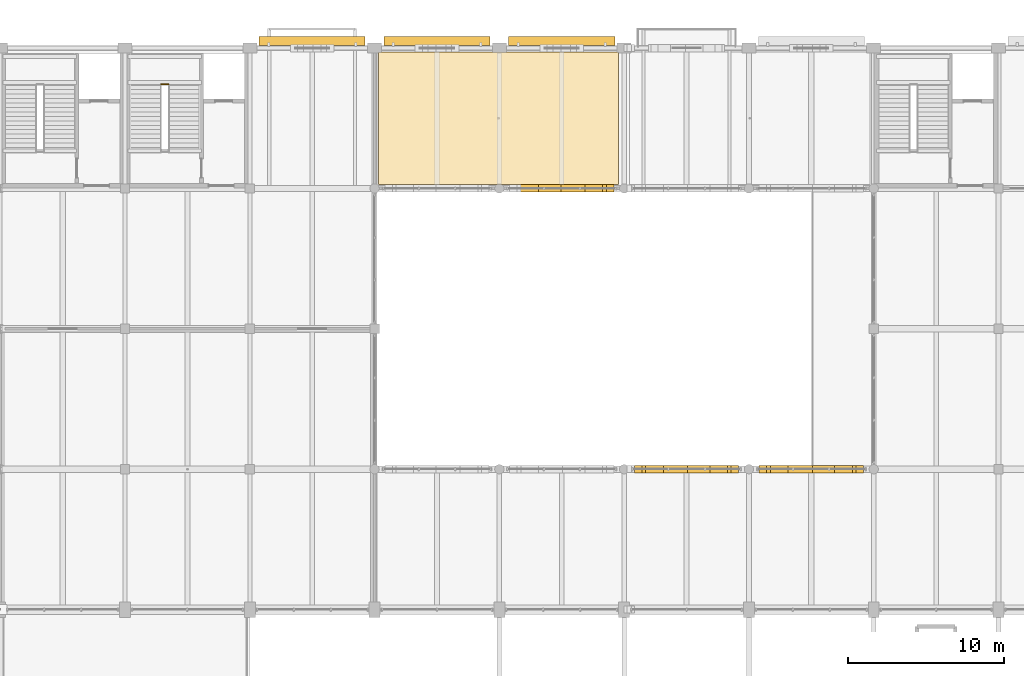
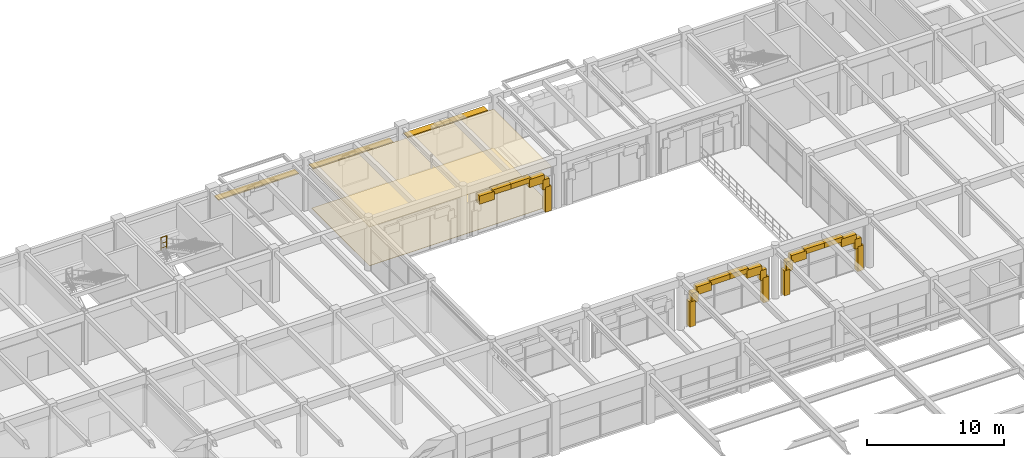
# One storey, part 139 of 144: 24 coverings, 3 shading devices, 1 railing.
"""IFC4 building model written with IfcOpenShell, lengths in metres."""

from ifc_helpers import new_model, si_unit, direction, frame, origin, origin_2d, place, context, subcontext, project, spatial, polyline, rectangle, circle, outline, extrude, material, layer, layer_set, type_object, element, save


model = new_model("IFC4")

# Units and contexts
model_context = context("Model", 3, precision=1e-05, world=origin(), true_north=direction((0.0, 1.0)))
body_context = subcontext(model_context, "Body", "Model", "MODEL_VIEW")
ifc_project = project(units=[si_unit("LENGTHUNIT", "METRE"), si_unit("AREAUNIT", "SQUARE_METRE"), si_unit("VOLUMEUNIT", "CUBIC_METRE"), si_unit("PLANEANGLEUNIT", "RADIAN"), si_unit("MASSUNIT", "GRAM", prefix="KILO")], contexts=[model_context])

# Site, building, storey
site_placement = place(None, origin())
site = spatial("IfcSite", under=ifc_project, at=site_placement, CompositionType="ELEMENT")
building_placement = place(site_placement, origin())
building = spatial("IfcBuilding", under=site, at=building_placement, Name="Varnabhumi Central Station", CompositionType="ELEMENT")
storey_placement = place(building_placement, frame((0.0, 0.0, 4.800048828125)))
storey = spatial("IfcBuildingStorey", under=building, at=storey_placement, Name="L01", CompositionType="ELEMENT", Elevation=4.800048828125)

# Coverings
ifc_material_1 = material(Name="Mineral-fibre acoustic tile")
ifc_layer_1 = layer(ifc_material_1, 0.02490234375, Name="Mineral-fibre acoustic tile")
ifc_layer_set_1 = layer_set([ifc_layer_1], Name="Mineral-fibre acoustic tile")
covering_type_1 = type_object("IfcCoveringType", Name="COV-CEIL-ACOUSTIC", PredefinedType="CEILING", material=ifc_layer_set_1)
covering_1_placement = place(storey_placement, frame((0.0, 0.0, 3.469970703125)))
element("IfcCovering", 1, at=covering_1_placement, inside=storey, type_object=covering_type_1, Name="Transit Reading and Quiet Lounge Acoustic Ceiling", PredefinedType="CEILING", context=body_context, shape_type="SweptSolid", body=[
    extrude(outline(polyline([(48.25, 107.25), (63.64990234375, 107.25), (63.64990234375, 115.75), (48.25, 115.75), (48.25, 107.25)])), origin(), (0.0, 0.0, 1.0), 0.02490234375),
])
ifc_material_2 = material(Name="Vitrified granite stone flooring", Category="masonry")
ifc_layer_2 = layer(ifc_material_2, 0.030029296875, Name="Vitrified granite stone flooring", Category="masonry")
ifc_layer_set_2 = layer_set([ifc_layer_2], Name="Vitrified granite stone flooring")
covering_type_2 = type_object("IfcCoveringType", Name="COV-FLOR-GRANITE", PredefinedType="FLOORING", material=ifc_layer_set_2)
covering_2_placement = place(storey_placement, origin())
element("IfcCovering", 2, at=covering_2_placement, inside=storey, type_object=covering_type_2, Name="Transit Reading and Quiet Lounge Granite Flooring", PredefinedType="FLOORING", context=body_context, shape_type="SweptSolid", body=[
    extrude(outline(polyline([(48.25, 107.25), (63.64990234375, 107.25), (63.64990234375, 115.75), (48.25, 115.75), (48.25, 107.25)])), origin(), (0.0, 0.0, 1.0), 0.030029296875),
])
ifc_material_3 = material(Name="Terracotta clay Mission barrel tile", Category="masonry")
ifc_layer_3 = layer(ifc_material_3, 0.02001953125, Name="Terracotta clay Mission barrel tile", Category="masonry")
ifc_layer_set_3 = layer_set([ifc_layer_3], Name="Terracotta clay Mission barrel tile")
covering_type_3 = type_object("IfcCoveringType", Name="COV-WALL-FAIENCE", PredefinedType="CLADDING", material=ifc_layer_set_3)
covering_3_placement = place(storey_placement, frame((57.882568359375, 107.0, 2.66015625), z_axis=(0.0, 0.0, 1.0), x_axis=(1.0, 0.0, 0.0)))
element("IfcCovering", 3, at=covering_3_placement, inside=storey, type_object=covering_type_3, Name="North Patio Cloister Arch L01-N2 Stone Voussoir 2", PredefinedType="CLADDING", context=body_context, shape_type="SweptSolid", body=[
    extrude(rectangle(XDim=1.2548828125, YDim=0.47998046875, at=origin_2d()), origin(), (0.0, 0.0, 1.0), 0.718994140625),
])
for number, where, z_axis, x_axis, name in (
    (4, (59.22509765625, 107.0, 3.098876953125), (0.0, 0.0, 1.0), (1.0, 0.0, 0.0), "North Patio Cloister Arch L01-N2 Stone Voussoir 3"),
    (5, (60.77490234375, 107.0, 3.098876953125), (0.0, 0.0, 1.0), (1.0, 0.0, 0.0), "North Patio Cloister Arch L01-N2 Stone Voussoir 4"),
):
    element("IfcCovering", number, at=place(storey_placement, frame(where, z_axis=z_axis, x_axis=x_axis)), inside=storey, type_object=covering_type_3, Name=name, PredefinedType="CLADDING", context=body_context, shape_type="SweptSolid", body=[
        extrude(rectangle(XDim=1.669921875, YDim=0.47998046875, at=origin_2d()), origin(), (0.0, 0.0, 1.0), 0.44091796875),
    ])
covering_4_placement = place(storey_placement, frame((62.117431640625, 107.0, 2.66015625), z_axis=(0.0, 0.0, 1.0), x_axis=(1.0, 0.0, 0.0)))
element("IfcCovering", 6, at=covering_4_placement, inside=storey, type_object=covering_type_3, Name="North Patio Cloister Arch L01-N2 Stone Voussoir 5", PredefinedType="CLADDING", context=body_context, shape_type="SweptSolid", body=[
    extrude(rectangle(XDim=1.2548828125, YDim=0.47998046875, at=origin_2d()), origin(), (0.0, 0.0, 1.0), 0.718994140625),
])
covering_5_placement = place(storey_placement, frame((62.892578125, 107.0, 2.06005859375), z_axis=(0.0, 0.0, 1.0), x_axis=(1.0, 0.0, 0.0)))
element("IfcCovering", 7, at=covering_5_placement, inside=storey, type_object=covering_type_3, Name="North Patio Cloister Arch L01-N2 Stone Voussoir 6", PredefinedType="CLADDING", context=body_context, shape_type="SweptSolid", body=[
    extrude(rectangle(XDim=0.534912109375, YDim=0.47998046875, at=origin_2d()), origin(), (0.0, 0.0, 1.0), 0.8798828125),
])
covering_6_placement = place(storey_placement, frame((63.10009765625, 107.0, -0.02001953125), z_axis=(0.0, 0.0, 1.0), x_axis=(1.0, 0.0, 0.0)))
element("IfcCovering", 8, at=covering_6_placement, inside=storey, type_object=covering_type_3, Name="North Patio Cloister Arch L01-N2 Classical Pilaster 2", PredefinedType="CLADDING", context=body_context, shape_type="SweptSolid", body=[
    extrude(rectangle(XDim=0.47998046875, YDim=0.47998046875, at=origin_2d()), origin(), (0.0, 0.0, 1.0), 2.239990234375),
])
covering_7_placement = place(storey_placement, frame((65.107421875, 89.0, 2.06005859375), z_axis=(0.0, 0.0, 1.0), x_axis=(1.0, 0.0, 0.0)))
element("IfcCovering", 9, at=covering_7_placement, inside=storey, type_object=covering_type_3, Name="North Patio Cloister Arch L01-S3 Stone Voussoir 1", PredefinedType="CLADDING", context=body_context, shape_type="SweptSolid", body=[
    extrude(rectangle(XDim=0.534912109375, YDim=0.47998046875, at=origin_2d()), origin(), (0.0, 0.0, 1.0), 0.8798828125),
])
covering_8_placement = place(storey_placement, frame((65.882568359375, 89.0, 2.66015625), z_axis=(0.0, 0.0, 1.0), x_axis=(1.0, 0.0, 0.0)))
element("IfcCovering", 10, at=covering_8_placement, inside=storey, type_object=covering_type_3, Name="North Patio Cloister Arch L01-S3 Stone Voussoir 2", PredefinedType="CLADDING", context=body_context, shape_type="SweptSolid", body=[
    extrude(rectangle(XDim=1.2548828125, YDim=0.47998046875, at=origin_2d()), origin(), (0.0, 0.0, 1.0), 0.718994140625),
])
for number, where, z_axis, x_axis, name in (
    (11, (67.22509765625, 89.0, 3.098876953125), (0.0, 0.0, 1.0), (1.0, 0.0, 0.0), "North Patio Cloister Arch L01-S3 Stone Voussoir 3"),
    (12, (68.77490234375, 89.0, 3.098876953125), (0.0, 0.0, 1.0), (1.0, 0.0, 0.0), "North Patio Cloister Arch L01-S3 Stone Voussoir 4"),
):
    element("IfcCovering", number, at=place(storey_placement, frame(where, z_axis=z_axis, x_axis=x_axis)), inside=storey, type_object=covering_type_3, Name=name, PredefinedType="CLADDING", context=body_context, shape_type="SweptSolid", body=[
        extrude(rectangle(XDim=1.669921875, YDim=0.47998046875, at=origin_2d()), origin(), (0.0, 0.0, 1.0), 0.44091796875),
    ])
covering_9_placement = place(storey_placement, frame((70.117431640625, 89.0, 2.66015625), z_axis=(0.0, 0.0, 1.0), x_axis=(1.0, 0.0, 0.0)))
element("IfcCovering", 13, at=covering_9_placement, inside=storey, type_object=covering_type_3, Name="North Patio Cloister Arch L01-S3 Stone Voussoir 5", PredefinedType="CLADDING", context=body_context, shape_type="SweptSolid", body=[
    extrude(rectangle(XDim=1.2548828125, YDim=0.47998046875, at=origin_2d()), origin(), (0.0, 0.0, 1.0), 0.718994140625),
])
covering_10_placement = place(storey_placement, frame((70.892578125, 89.0, 2.06005859375), z_axis=(0.0, 0.0, 1.0), x_axis=(1.0, 0.0, 0.0)))
element("IfcCovering", 14, at=covering_10_placement, inside=storey, type_object=covering_type_3, Name="North Patio Cloister Arch L01-S3 Stone Voussoir 6", PredefinedType="CLADDING", context=body_context, shape_type="SweptSolid", body=[
    extrude(rectangle(XDim=0.534912109375, YDim=0.47998046875, at=origin_2d()), origin(), (0.0, 0.0, 1.0), 0.8798828125),
])
for number, where, z_axis, x_axis, name in (
    (15, (64.89990234375, 89.0, -0.02001953125), (0.0, 0.0, 1.0), (1.0, 0.0, 0.0), "North Patio Cloister Arch L01-S3 Classical Pilaster 1"),
    (16, (71.10009765625, 89.0, -0.02001953125), (0.0, 0.0, 1.0), (1.0, 0.0, 0.0), "North Patio Cloister Arch L01-S3 Classical Pilaster 2"),
):
    element("IfcCovering", number, at=place(storey_placement, frame(where, z_axis=z_axis, x_axis=x_axis)), inside=storey, type_object=covering_type_3, Name=name, PredefinedType="CLADDING", context=body_context, shape_type="SweptSolid", body=[
        extrude(rectangle(XDim=0.47998046875, YDim=0.47998046875, at=origin_2d()), origin(), (0.0, 0.0, 1.0), 2.239990234375),
    ])
covering_11_placement = place(storey_placement, frame((73.107421875, 89.0, 2.06005859375), z_axis=(0.0, 0.0, 1.0), x_axis=(1.0, 0.0, 0.0)))
element("IfcCovering", 17, at=covering_11_placement, inside=storey, type_object=covering_type_3, Name="North Patio Cloister Arch L01-S4 Stone Voussoir 1", PredefinedType="CLADDING", context=body_context, shape_type="SweptSolid", body=[
    extrude(rectangle(XDim=0.534912109375, YDim=0.47998046875, at=origin_2d()), origin(), (0.0, 0.0, 1.0), 0.8798828125),
])
covering_12_placement = place(storey_placement, frame((73.882568359375, 89.0, 2.66015625), z_axis=(0.0, 0.0, 1.0), x_axis=(1.0, 0.0, 0.0)))
element("IfcCovering", 18, at=covering_12_placement, inside=storey, type_object=covering_type_3, Name="North Patio Cloister Arch L01-S4 Stone Voussoir 2", PredefinedType="CLADDING", context=body_context, shape_type="SweptSolid", body=[
    extrude(rectangle(XDim=1.2548828125, YDim=0.47998046875, at=origin_2d()), origin(), (0.0, 0.0, 1.0), 0.718994140625),
])
for number, where, z_axis, x_axis, name in (
    (19, (75.22509765625, 89.0, 3.098876953125), (0.0, 0.0, 1.0), (1.0, 0.0, 0.0), "North Patio Cloister Arch L01-S4 Stone Voussoir 3"),
    (20, (76.77490234375, 89.0, 3.098876953125), (0.0, 0.0, 1.0), (1.0, 0.0, 0.0), "North Patio Cloister Arch L01-S4 Stone Voussoir 4"),
):
    element("IfcCovering", number, at=place(storey_placement, frame(where, z_axis=z_axis, x_axis=x_axis)), inside=storey, type_object=covering_type_3, Name=name, PredefinedType="CLADDING", context=body_context, shape_type="SweptSolid", body=[
        extrude(rectangle(XDim=1.669921875, YDim=0.47998046875, at=origin_2d()), origin(), (0.0, 0.0, 1.0), 0.44091796875),
    ])
covering_13_placement = place(storey_placement, frame((78.117431640625, 89.0, 2.66015625), z_axis=(0.0, 0.0, 1.0), x_axis=(1.0, 0.0, 0.0)))
element("IfcCovering", 21, at=covering_13_placement, inside=storey, type_object=covering_type_3, Name="North Patio Cloister Arch L01-S4 Stone Voussoir 5", PredefinedType="CLADDING", context=body_context, shape_type="SweptSolid", body=[
    extrude(rectangle(XDim=1.2548828125, YDim=0.47998046875, at=origin_2d()), origin(), (0.0, 0.0, 1.0), 0.718994140625),
])
covering_14_placement = place(storey_placement, frame((78.892578125, 89.0, 2.06005859375), z_axis=(0.0, 0.0, 1.0), x_axis=(1.0, 0.0, 0.0)))
element("IfcCovering", 22, at=covering_14_placement, inside=storey, type_object=covering_type_3, Name="North Patio Cloister Arch L01-S4 Stone Voussoir 6", PredefinedType="CLADDING", context=body_context, shape_type="SweptSolid", body=[
    extrude(rectangle(XDim=0.534912109375, YDim=0.47998046875, at=origin_2d()), origin(), (0.0, 0.0, 1.0), 0.8798828125),
])
for number, where, z_axis, x_axis, name in (
    (23, (72.89990234375, 89.0, -0.02001953125), (0.0, 0.0, 1.0), (1.0, 0.0, 0.0), "North Patio Cloister Arch L01-S4 Classical Pilaster 1"),
    (24, (79.10009765625, 89.0, -0.02001953125), (0.0, 0.0, 1.0), (1.0, 0.0, 0.0), "North Patio Cloister Arch L01-S4 Classical Pilaster 2"),
):
    element("IfcCovering", number, at=place(storey_placement, frame(where, z_axis=z_axis, x_axis=x_axis)), inside=storey, type_object=covering_type_3, Name=name, PredefinedType="CLADDING", context=body_context, shape_type="SweptSolid", body=[
        extrude(rectangle(XDim=0.47998046875, YDim=0.47998046875, at=origin_2d()), origin(), (0.0, 0.0, 1.0), 2.239990234375),
    ])

# Railing
ifc_material_4 = material(Name="Stainless steel Grade 316", Category="steel")
railing_type = type_object("IfcRailingType", Name="RAIL-STAIR-GRD-1150", PredefinedType="GUARDRAIL", material=ifc_material_4)
railing_placement = place(storey_placement, frame((34.300048828125, 113.675048828125, 2.39990234375)))
element("IfcRailing", 25, at=railing_placement, inside=storey, type_object=railing_type, Name="ST-N4 L01 Half-Landing Well Guard", PredefinedType="GUARDRAIL", context=body_context, shape_type="SweptSolid", body=[
    extrude(circle(Radius=0.02392578125, at=origin_2d()), frame((0.0, 0.0, 1.1259765625), z_axis=(1.0, 0.0, 0.0), x_axis=(0.0, 1.0, 0.0)), (0.0, 0.0, 1.0), 0.5),
    extrude(circle(Radius=0.01416015625, at=origin_2d()), frame((0.0, 0.0, 0.597900390625), z_axis=(1.0, 0.0, 0.0), x_axis=(0.0, 1.0, 0.0)), (0.0, 0.0, 1.0), 0.5),
    extrude(circle(Radius=0.01416015625, at=origin_2d()), frame((0.0, 0.0, 0.18408203125), z_axis=(1.0, 0.0, 0.0), x_axis=(0.0, 1.0, 0.0)), (0.0, 0.0, 1.0), 0.5),
    extrude(circle(Radius=0.02099609375, at=origin_2d()), origin(), (0.0, 0.0, 1.0), 1.101806640625),
    extrude(circle(Radius=0.02099609375, at=origin_2d()), frame((0.5, 0.0, 0.0)), (0.0, 0.0, 1.0), 1.101806640625),
])

# Shading devices
ifc_material_5 = material(Name="Precast concrete M45", Category="concrete")
ifc_layer_4 = layer(ifc_material_5, 0.10009765625, Name="Precast concrete M45", Category="concrete")
ifc_layer_set_4 = layer_set([ifc_layer_4], Name="Precast concrete M45")
shading_device_type = type_object("IfcShadingDeviceType", Name="SHD-CHAJJA-600", PredefinedType="AWNING", material=ifc_layer_set_4)
for number, where, z_axis, x_axis, name in (
    (26, (44.0, 116.449951171875, 3.1298828125), (0.0, 0.0, 1.0), (1.0, 0.0, 0.0), "Chajja Overhang N-L01-6"),
    (27, (52.0, 116.449951171875, 3.1298828125), (0.0, 0.0, 1.0), (1.0, 0.0, 0.0), "Chajja Overhang N-L01-7"),
    (28, (60.0, 116.449951171875, 3.1298828125), (0.0, 0.0, 1.0), (1.0, 0.0, 0.0), "Chajja Overhang N-L01-8"),
):
    element("IfcShadingDevice", number, at=place(storey_placement, frame(where, z_axis=z_axis, x_axis=x_axis)), inside=storey, type_object=shading_device_type, Name=name, PredefinedType="AWNING", context=body_context, shape_type="SweptSolid", body=[
        extrude(rectangle(XDim=6.800048828125, YDim=0.60009765625, at=origin_2d()), origin(), (0.0, 0.0, 1.0), 0.10009765625),
    ])

save(model, "model.ifc")
